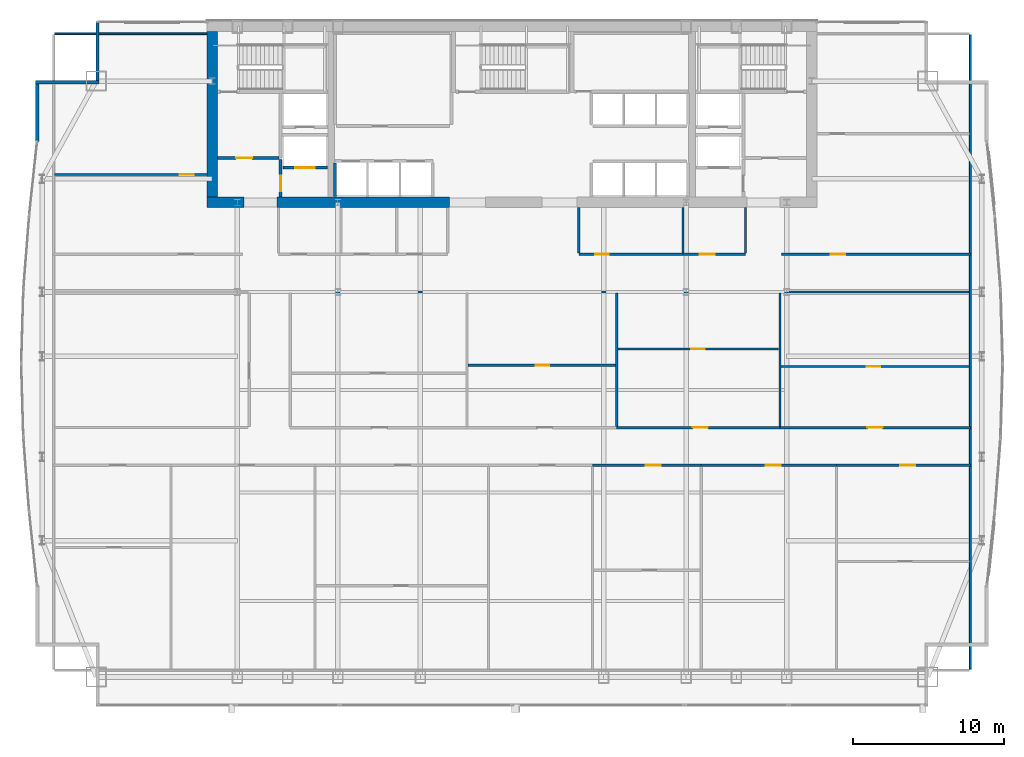
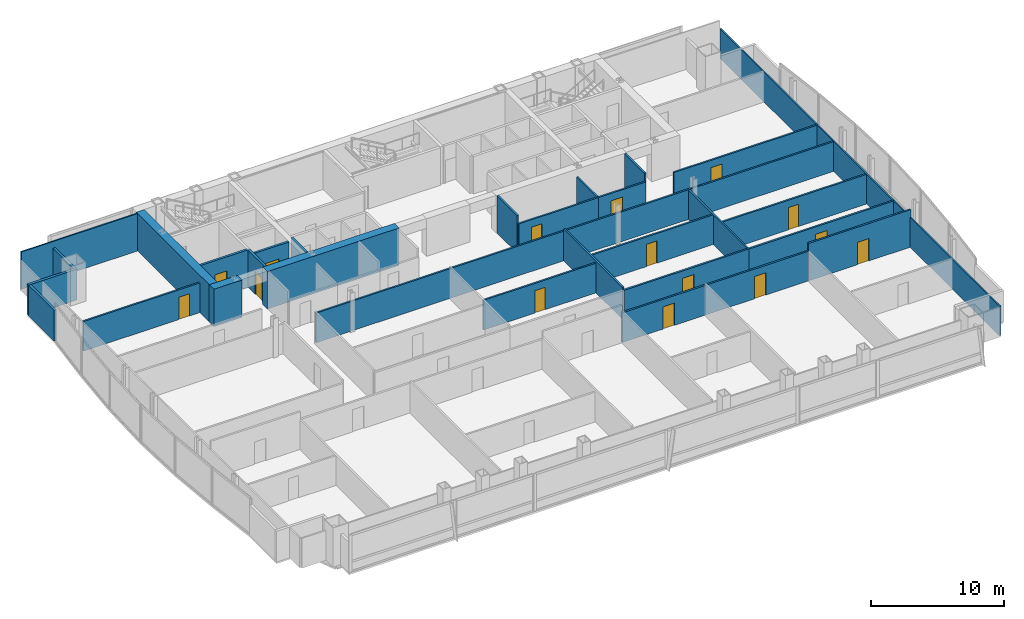
# One storey, part 25 of 29: 30 walls, 15 doors, 15 openings.
"""IFC4 building model written with IfcOpenShell, lengths in metres."""

from ifc_helpers import new_model, si_unit, direction, frame, frame_2d, origin, place, context, subcontext, project, spatial, rectangle, extrude, material, layer, layer_set, type_object, element, fill, save


model = new_model("IFC4")

# Units and contexts
model_context = context("Model", 3, precision=1e-05, world=origin(), true_north=direction((0.0, 1.0)))
body_context = subcontext(model_context, "Body", "Model", "MODEL_VIEW")
ifc_project = project(units=[si_unit("LENGTHUNIT", "METRE"), si_unit("AREAUNIT", "SQUARE_METRE"), si_unit("VOLUMEUNIT", "CUBIC_METRE"), si_unit("PLANEANGLEUNIT", "RADIAN"), si_unit("MASSUNIT", "GRAM", prefix="KILO")], contexts=[model_context])

# Site, building, storey
site_placement = place(None, origin())
site = spatial("IfcSite", under=ifc_project, at=site_placement, CompositionType="ELEMENT")
building_placement = place(site_placement, origin())
building = spatial("IfcBuilding", under=site, at=building_placement, Name="Khoronbel Lancet Exchange", CompositionType="ELEMENT")
storey_placement = place(building_placement, frame((0.0, 0.0, 139.800048828125)))
storey = spatial("IfcBuildingStorey", under=building, at=storey_placement, Name="L34", CompositionType="ELEMENT", Elevation=139.800048828125)

# Walls
ifc_material_1 = material(Name="Concrete C80/95", Category="concrete")
ifc_layer_1 = layer(ifc_material_1, 0.699951171875, Name="Concrete C80/95")
ifc_layer_set_1 = layer_set([ifc_layer_1], Name="Concrete C80/95")
wall_type_1 = type_object("IfcWallType", Name="WL-CW2", PredefinedType="SHEAR", material=ifc_layer_set_1)
wall_1_placement = place(storey_placement, frame((16.550048828125, 42.0, 0.0), z_axis=(0.0, 0.0, 1.0), x_axis=(0.0, 1.0, 0.0)))
element("IfcWall", 1, at=wall_1_placement, inside=storey, type_object=wall_type_1, Name="Level L34 rear core west shear wall", PredefinedType="SHEAR", context=body_context, shape_type="SweptSolid", body=[
    extrude(rectangle(XDim=11.0, YDim=0.699951171875, at=frame_2d((5.5, 0.0))), origin(), (0.0, 0.0, 1.0), 3.43994140625),
])
wall_2_placement = place(storey_placement, frame((18.64990234375, 41.64990234375, 0.0), z_axis=(0.0, 0.0, 1.0), x_axis=(-1.0, 0.0, 0.0)))
element("IfcWall", 2, at=wall_2_placement, inside=storey, type_object=wall_type_1, Name="Level L34 rear core south shear wall pier P1", PredefinedType="SHEAR", context=body_context, shape_type="SweptSolid", body=[
    extrude(rectangle(XDim=2.449951171875, YDim=0.699951171875, at=frame_2d((1.22509765625, 0.0))), origin(), (0.0, 0.0, 1.0), 3.43994140625),
])
wall_3_placement = place(storey_placement, frame((32.300048828125, 41.64990234375, 0.0), z_axis=(0.0, 0.0, 1.0), x_axis=(-1.0, 0.0, 0.0)))
element("IfcWall", 3, at=wall_3_placement, inside=storey, type_object=wall_type_1, Name="Level L34 rear core south shear wall pier P2", PredefinedType="SHEAR", context=body_context, shape_type="SweptSolid", body=[
    extrude(rectangle(XDim=11.449951171875, YDim=0.699951171875, at=frame_2d((5.72509765625, 0.0))), origin(), (0.0, 0.0, 1.0), 3.43994140625),
])
ifc_material_2 = material(Name="Precast concrete C40/50", Category="concrete")
ifc_layer_2 = layer(ifc_material_2, 0.25, Name="Precast concrete C40/50")
ifc_layer_set_2 = layer_set([ifc_layer_2], Name="Precast concrete C40/50")
wall_type_2 = type_object("IfcWallType", Name="WL-EXT250", PredefinedType="SOLIDWALL", material=ifc_layer_set_2)
wall_4_placement = place(storey_placement, frame((4.93994140625, 45.67529296875, 0.0), z_axis=(0.0, 0.0, 1.0), x_axis=(0.0, 1.0, 0.0)))
element("IfcWall", 4, at=wall_4_placement, inside=storey, type_object=wall_type_2, Name="Level L34 notched-corner limestone pier 10", PredefinedType="SOLIDWALL", context=body_context, shape_type="SweptSolid", body=[
    extrude(rectangle(XDim=3.82470703125, YDim=0.219970703125, at=frame_2d((1.912353515625, 0.0))), origin(), (0.0, 0.0, 1.0), 2.829833984375),
])
wall_5_placement = place(storey_placement, frame((4.830078125, 49.610107421875, 0.0), z_axis=(0.0, 0.0, 1.0), x_axis=(1.0, 0.0, 0.0)))
element("IfcWall", 5, at=wall_5_placement, inside=storey, type_object=wall_type_2, Name="Level L34 notched-corner limestone pier 11", PredefinedType="SOLIDWALL", context=body_context, shape_type="SweptSolid", body=[
    extrude(rectangle(XDim=4.219970703125, YDim=0.219970703125, at=frame_2d((2.10986328125, 0.0))), origin(), (0.0, 0.0, 1.0), 2.829833984375),
])
wall_6_placement = place(storey_placement, frame((8.93994140625, 49.719970703125, 0.0), z_axis=(0.0, 0.0, 1.0), x_axis=(0.0, 1.0, 0.0)))
element("IfcWall", 6, at=wall_6_placement, inside=storey, type_object=wall_type_2, Name="Level L34 notched-corner limestone pier 12", PredefinedType="SOLIDWALL", context=body_context, shape_type="SweptSolid", body=[
    extrude(rectangle(XDim=3.909912109375, YDim=0.219970703125, at=frame_2d((1.955078125, 0.0))), origin(), (0.0, 0.0, 1.0), 2.829833984375),
])
ifc_material_3 = material(Name="Acoustic Metal-Stud & Mineral-Wool Gypsum Partition 120 mm", Category="gypsum")
ifc_layer_3 = layer(ifc_material_3, 0.1201171875, Name="Acoustic Metal-Stud & Mineral-Wool Gypsum Partition 120 mm")
ifc_layer_set_3 = layer_set([ifc_layer_3], Name="Acoustic Metal-Stud & Mineral-Wool Gypsum Partition 120 mm")
wall_type_3 = type_object("IfcWallType", Name="WL-PRT120", PredefinedType="PARTITIONING", material=ifc_layer_set_3)
wall_7_placement = place(storey_placement, frame((40.8798828125, 38.280029296875, 0.0), z_axis=(0.0, 0.0, 1.0), x_axis=(0.0, 1.0, 0.0)))
element("IfcWall", 7, at=wall_7_placement, inside=storey, type_object=wall_type_3, Name="Level L34 interior partition PW-NP-0", PredefinedType="PARTITIONING", context=body_context, shape_type="SweptSolid", body=[
    extrude(rectangle(XDim=3.02001953125, YDim=0.14990234375, at=frame_2d((1.510009765625, 0.0))), origin(), (0.0, 0.0, 1.0), 3.43994140625),
])
wall_8_placement = place(storey_placement, frame((47.800048828125, 38.280029296875, 0.0), z_axis=(0.0, 0.0, 1.0), x_axis=(0.0, 1.0, 0.0)))
element("IfcWall", 8, at=wall_8_placement, inside=storey, type_object=wall_type_3, Name="Level L34 interior partition PW-NP-M", PredefinedType="PARTITIONING", context=body_context, shape_type="SweptSolid", body=[
    extrude(rectangle(XDim=3.02001953125, YDim=0.14990234375, at=frame_2d((1.510009765625, 0.0))), origin(), (0.0, 0.0, 1.0), 2.72998046875),
])
wall_9_placement = place(storey_placement, frame((51.949951171875, 38.280029296875, 0.0), z_axis=(0.0, 0.0, 1.0), x_axis=(0.0, 1.0, 0.0)))
element("IfcWall", 9, at=wall_9_placement, inside=storey, type_object=wall_type_3, Name="Level L34 interior partition PW-NP-1", PredefinedType="PARTITIONING", context=body_context, shape_type="SweptSolid", body=[
    extrude(rectangle(XDim=3.02001953125, YDim=0.14990234375, at=frame_2d((1.510009765625, 0.0))), origin(), (0.0, 0.0, 1.0), 3.43994140625),
])

# Wall, opening, door
wall_10_placement = place(storey_placement, frame((6.094970703125, 43.5, 0.0), z_axis=(0.0, 0.0, 1.0), x_axis=(1.0, 0.0, 0.0)))
wall_10 = element("IfcWall", 10, at=wall_10_placement, inside=storey, type_object=wall_type_3, Name="Level L34 interior partition PW-NW-H", PredefinedType="PARTITIONING", context=body_context, shape_type="SweptSolid", body=[
    extrude(rectangle(XDim=10.10498046875, YDim=0.14990234375, at=frame_2d((5.052490234375, 0.0))), origin(), (0.0, 0.0, 1.0), 2.72998046875),
])
opening_1_placement = place(wall_10_placement, frame((8.320068359375, 0.0, 0.0)))
opening_1 = element("IfcOpeningElement", 11, at=opening_1_placement, cuts=wall_10, Name="Opening D5", PredefinedType="OPENING", context=body_context, shape_type="SweptSolid", body=[
    extrude(rectangle(XDim=0.89990234375, YDim=2.050048828125, at=frame_2d((0.449951171875, 1.02490234375))), frame((0.0, 0.0849609375, 0.0), z_axis=(0.0, -1.0, 0.0), x_axis=(1.0, 0.0, 0.0)), (0.0, 0.0, 1.0), 0.169921875),
])
ifc_material_4 = material(Name="Acoustic Timber Pantry & Support Door", Category="wood")
door_type_1 = type_object("IfcDoorType", Name="DR-D5", OperationType="NOTDEFINED", PredefinedType="DOOR", material=ifc_material_4)
door_1_placement = place(opening_1_placement, origin())
door_1 = element("IfcDoor", 12, at=door_1_placement, inside=storey, type_object=door_type_1, Name="NW north room door L34-1", OperationType="SINGLE_SWING_LEFT", OverallHeight=2.050048828125, OverallWidth=0.89990234375, PredefinedType="DOOR", context=body_context, shape_type="SweptSolid", body=[
    extrude(rectangle(XDim=0.89990234375, YDim=2.050048828125, at=frame_2d((0.449951171875, 1.02490234375))), frame((0.0, 0.02490234375, 0.0), z_axis=(0.0, -1.0, 0.0), x_axis=(1.0, 0.0, 0.0)), (0.0, 0.0, 1.0), 0.050048828125),
])
fill(opening_1, door_1)

wall_11_placement = place(storey_placement, frame((33.54638671875, 30.840087890625, 0.0), z_axis=(0.0, 0.0, 1.0), x_axis=(1.0, 0.0, 0.0)))
wall_11 = element("IfcWall", 13, at=wall_11_placement, inside=storey, type_object=wall_type_3, Name="Level L34 interior partition PW-Z2N-H2", PredefinedType="PARTITIONING", context=body_context, shape_type="SweptSolid", body=[
    extrude(rectangle(XDim=9.770751953125, YDim=0.14990234375, at=frame_2d((4.88525390625, 0.0))), origin(), (0.0, 0.0, 1.0), 2.72998046875),
])
opening_2_placement = place(wall_11_placement, frame((4.468994140625, 0.0, 0.0)))
opening_2 = element("IfcOpeningElement", 14, at=opening_2_placement, cuts=wall_11, Name="Opening D5", PredefinedType="OPENING", context=body_context, shape_type="SweptSolid", body=[
    extrude(rectangle(XDim=0.89990234375, YDim=2.050048828125, at=frame_2d((0.449951171875, 1.02490234375))), frame((0.0, 0.0849609375, 0.0), z_axis=(0.0, -1.0, 0.0), x_axis=(1.0, 0.0, 0.0)), (0.0, 0.0, 1.0), 0.169921875),
])
door_2_placement = place(opening_2_placement, origin())
door_2 = element("IfcDoor", 15, at=door_2_placement, inside=storey, type_object=door_type_1, Name="Z2N inner door 2 L34-1", OperationType="SINGLE_SWING_RIGHT", OverallHeight=2.050048828125, OverallWidth=0.89990234375, PredefinedType="DOOR", context=body_context, shape_type="SweptSolid", body=[
    extrude(rectangle(XDim=0.89990234375, YDim=2.050048828125, at=frame_2d((0.449951171875, 1.02490234375))), frame((0.0, 0.02490234375, 0.0), z_axis=(0.0, -1.0, 0.0), x_axis=(1.0, 0.0, 0.0)), (0.0, 0.0, 1.0), 0.050048828125),
])
fill(opening_2, door_2)

wall_12_placement = place(storey_placement, frame((43.477294921875, 31.919921875, 0.0), z_axis=(0.0, 0.0, 1.0), x_axis=(1.0, 0.0, 0.0)))
wall_12 = element("IfcWall", 16, at=wall_12_placement, inside=storey, type_object=wall_type_3, Name="Level L34 interior partition PW-Z2N-H3", PredefinedType="PARTITIONING", context=body_context, shape_type="SweptSolid", body=[
    extrude(rectangle(XDim=10.673583984375, YDim=0.14990234375, at=frame_2d((5.3369140625, 0.0))), origin(), (0.0, 0.0, 1.0), 2.72998046875),
])
opening_3_placement = place(wall_12_placement, frame((4.875, 0.0, 0.0)))
opening_3 = element("IfcOpeningElement", 17, at=opening_3_placement, cuts=wall_12, Name="Opening D5", PredefinedType="OPENING", context=body_context, shape_type="SweptSolid", body=[
    extrude(rectangle(XDim=0.89990234375, YDim=2.050048828125, at=frame_2d((0.449951171875, 1.02490234375))), frame((0.0, 0.0849609375, 0.0), z_axis=(0.0, -1.0, 0.0), x_axis=(1.0, 0.0, 0.0)), (0.0, 0.0, 1.0), 0.169921875),
])
door_3_placement = place(opening_3_placement, origin())
door_3 = element("IfcDoor", 18, at=door_3_placement, inside=storey, type_object=door_type_1, Name="Z2N inner door 3 L34-1", OperationType="SINGLE_SWING_RIGHT", OverallHeight=2.050048828125, OverallWidth=0.89990234375, PredefinedType="DOOR", context=body_context, shape_type="SweptSolid", body=[
    extrude(rectangle(XDim=0.89990234375, YDim=2.050048828125, at=frame_2d((0.449951171875, 1.02490234375))), frame((0.0, 0.02490234375, 0.0), z_axis=(0.0, -1.0, 0.0), x_axis=(1.0, 0.0, 0.0)), (0.0, 0.0, 1.0), 0.050048828125),
])
fill(opening_3, door_3)

wall_13_placement = place(storey_placement, frame((54.310791015625, 30.75, 0.0), z_axis=(0.0, 0.0, 1.0), x_axis=(1.0, 0.0, 0.0)))
wall_13 = element("IfcWall", 19, at=wall_13_placement, inside=storey, type_object=wall_type_3, Name="Level L34 interior partition PW-Z2N-H4", PredefinedType="PARTITIONING", context=body_context, shape_type="SweptSolid", body=[
    extrude(rectangle(XDim=12.494140625, YDim=0.14990234375, at=frame_2d((6.2470703125, 0.0))), origin(), (0.0, 0.0, 1.0), 2.72998046875),
])
opening_4_placement = place(wall_13_placement, frame((5.6875, 0.0, 0.0)))
opening_4 = element("IfcOpeningElement", 20, at=opening_4_placement, cuts=wall_13, Name="Opening D5", PredefinedType="OPENING", context=body_context, shape_type="SweptSolid", body=[
    extrude(rectangle(XDim=0.89990234375, YDim=2.050048828125, at=frame_2d((0.449951171875, 1.02490234375))), frame((0.0, 0.0849609375, 0.0), z_axis=(0.0, -1.0, 0.0), x_axis=(1.0, 0.0, 0.0)), (0.0, 0.0, 1.0), 0.169921875),
])
door_4_placement = place(opening_4_placement, origin())
door_4 = element("IfcDoor", 21, at=door_4_placement, inside=storey, type_object=door_type_1, Name="Z2N inner door 4 L34-1", OperationType="SINGLE_SWING_RIGHT", OverallHeight=2.050048828125, OverallWidth=0.89990234375, PredefinedType="DOOR", context=body_context, shape_type="SweptSolid", body=[
    extrude(rectangle(XDim=0.89990234375, YDim=2.050048828125, at=frame_2d((0.449951171875, 1.02490234375))), frame((0.0, 0.02490234375, 0.0), z_axis=(0.0, -1.0, 0.0), x_axis=(1.0, 0.0, 0.0)), (0.0, 0.0, 1.0), 0.050048828125),
])
fill(opening_4, door_4)

# Walls
wall_14_placement = place(storey_placement, frame((66.8701171875, 10.6650390625, 0.0), z_axis=(0.0, 0.0, 1.0), x_axis=(0.0, 1.0, 0.0)))
element("IfcWall", 22, at=wall_14_placement, inside=storey, type_object=wall_type_3, Name="Level L34 interior partition PW-LIN-E", PredefinedType="PARTITIONING", context=body_context, shape_type="SweptSolid", body=[
    extrude(rectangle(XDim=42.10986328125, YDim=0.1201171875, at=frame_2d((21.054931640625, 0.0))), origin(), (0.0, 0.0, 1.0), 2.72998046875),
])
wall_15_placement = place(storey_placement, frame((6.094970703125, 52.840087890625, 0.0), z_axis=(0.0, 0.0, 1.0), x_axis=(1.0, 0.0, 0.0)))
element("IfcWall", 23, at=wall_15_placement, inside=storey, type_object=wall_type_3, Name="Level L34 interior partition PW-LIN-NW", PredefinedType="PARTITIONING", context=body_context, shape_type="SweptSolid", body=[
    extrude(rectangle(XDim=10.10498046875, YDim=0.1201171875, at=frame_2d((5.052490234375, 0.0))), origin(), (0.0, 0.0, 1.0), 3.43994140625),
])

# Wall, opening, door
ifc_material_5 = material(Name="Fire-Rated Twin-Stud Acoustic Gypsum Partition 150 mm", Category="gypsum")
ifc_layer_4 = layer(ifc_material_5, 0.14990234375, Name="Fire-Rated Twin-Stud Acoustic Gypsum Partition 150 mm")
ifc_layer_set_4 = layer_set([ifc_layer_4], Name="Fire-Rated Twin-Stud Acoustic Gypsum Partition 150 mm")
wall_type_4 = type_object("IfcWallType", Name="WL-PRT150C", PredefinedType="PARTITIONING", material=ifc_layer_set_4)
wall_16_placement = place(storey_placement, frame((40.8798828125, 38.199951171875, 0.0), z_axis=(0.0, 0.0, 1.0), x_axis=(1.0, 0.0, 0.0)))
wall_16 = element("IfcWall", 24, at=wall_16_placement, inside=storey, type_object=wall_type_4, Name="Level L34 interior partition PW-NP-S1", PredefinedType="PARTITIONING", context=body_context, shape_type="SweptSolid", body=[
    extrude(rectangle(XDim=6.920166015625, YDim=0.14990234375, at=frame_2d((3.4599609375, 0.0))), origin(), (0.0, 0.0, 1.0), 2.72998046875),
])
opening_5_placement = place(wall_16_placement, frame((1.10009765625, 0.0, 0.0)))
opening_5 = element("IfcOpeningElement", 25, at=opening_5_placement, cuts=wall_16, Name="Opening D5", PredefinedType="OPENING", context=body_context, shape_type="SweptSolid", body=[
    extrude(rectangle(XDim=0.89990234375, YDim=2.050048828125, at=frame_2d((0.449951171875, 1.02490234375))), frame((0.0, 0.0849609375, 0.0), z_axis=(0.0, -1.0, 0.0), x_axis=(1.0, 0.0, 0.0)), (0.0, 0.0, 1.0), 0.169921875),
])
door_5_placement = place(opening_5_placement, origin())
door_5 = element("IfcDoor", 26, at=door_5_placement, inside=storey, type_object=door_type_1, Name="Floor refreshment pantry door L34-1", OperationType="SINGLE_SWING_LEFT", OverallHeight=2.050048828125, OverallWidth=0.89990234375, PredefinedType="DOOR", context=body_context, shape_type="SweptSolid", body=[
    extrude(rectangle(XDim=0.89990234375, YDim=2.050048828125, at=frame_2d((0.449951171875, 1.02490234375))), frame((0.0, 0.02490234375, 0.0), z_axis=(0.0, -1.0, 0.0), x_axis=(1.0, 0.0, 0.0)), (0.0, 0.0, 1.0), 0.050048828125),
])
fill(opening_5, door_5)

wall_17_placement = place(storey_placement, frame((47.800048828125, 38.199951171875, 0.0), z_axis=(0.0, 0.0, 1.0), x_axis=(1.0, 0.0, 0.0)))
wall_17 = element("IfcWall", 27, at=wall_17_placement, inside=storey, type_object=wall_type_4, Name="Level L34 interior partition PW-NP-S2", PredefinedType="PARTITIONING", context=body_context, shape_type="SweptSolid", body=[
    extrude(rectangle(XDim=4.14990234375, YDim=0.14990234375, at=frame_2d((2.074951171875, 0.0))), origin(), (0.0, 0.0, 1.0), 2.72998046875),
])
opening_6_placement = place(wall_17_placement, frame((1.10009765625, 0.0, 0.0)))
opening_6 = element("IfcOpeningElement", 28, at=opening_6_placement, cuts=wall_17, Name="Opening D2", PredefinedType="OPENING", context=body_context, shape_type="SweptSolid", body=[
    extrude(rectangle(XDim=1.0, YDim=2.050048828125, at=frame_2d((0.5, 1.02490234375))), frame((0.0, 0.0849609375, 0.0), z_axis=(0.0, -1.0, 0.0), x_axis=(1.0, 0.0, 0.0)), (0.0, 0.0, 1.0), 0.169921875),
])
ifc_material_6 = material(Name="Acoustic Veneered Timber & Bronze Frame Door", Category="wood")
door_type_2 = type_object("IfcDoorType", Name="DR-D2", OperationType="NOTDEFINED", PredefinedType="DOOR", material=ifc_material_6)
door_6_placement = place(opening_6_placement, origin())
door_6 = element("IfcDoor", 29, at=door_6_placement, inside=storey, type_object=door_type_2, Name="Floor store door L34-1", OperationType="SINGLE_SWING_RIGHT", OverallHeight=2.050048828125, OverallWidth=1.0, PredefinedType="DOOR", context=body_context, shape_type="SweptSolid", body=[
    extrude(rectangle(XDim=1.0, YDim=2.050048828125, at=frame_2d((0.5, 1.02490234375))), frame((0.0, 0.02490234375, 0.0), z_axis=(0.0, -1.0, 0.0), x_axis=(1.0, 0.0, 0.0)), (0.0, 0.0, 1.0), 0.050048828125),
])
fill(opening_6, door_6)

wall_18_placement = place(storey_placement, frame((54.35009765625, 38.199951171875, 0.0), z_axis=(0.0, 0.0, 1.0), x_axis=(1.0, 0.0, 0.0)))
wall_18 = element("IfcWall", 30, at=wall_18_placement, inside=storey, type_object=wall_type_4, Name="Level L34 interior partition PW-NE-S", PredefinedType="PARTITIONING", context=body_context, shape_type="SweptSolid", body=[
    extrude(rectangle(XDim=12.52001953125, YDim=0.14990234375, at=frame_2d((6.260009765625, 0.0))), origin(), (0.0, 0.0, 1.0), 2.72998046875),
])
opening_7_placement = place(wall_18_placement, frame((3.25, 0.0, 0.0)))
opening_7 = element("IfcOpeningElement", 31, at=opening_7_placement, cuts=wall_18, Name="Opening D1", PredefinedType="OPENING", context=body_context, shape_type="SweptSolid", body=[
    extrude(rectangle(XDim=0.949951171875, YDim=2.050048828125, at=frame_2d((0.47509765625, 1.02490234375))), frame((0.0, 0.0849609375, 0.0), z_axis=(0.0, -1.0, 0.0), x_axis=(1.0, 0.0, 0.0)), (0.0, 0.0, 1.0), 0.169921875),
])
door_type_3 = type_object("IfcDoorType", Name="DR-D1", OperationType="NOTDEFINED", PredefinedType="DOOR", material=ifc_material_6)
door_7_placement = place(opening_7_placement, origin())
door_7 = element("IfcDoor", 32, at=door_7_placement, inside=storey, type_object=door_type_3, Name="NE corner room door L34-1", OperationType="SINGLE_SWING_RIGHT", OverallHeight=2.050048828125, OverallWidth=0.949951171875, PredefinedType="DOOR", context=body_context, shape_type="SweptSolid", body=[
    extrude(rectangle(XDim=0.949951171875, YDim=2.050048828125, at=frame_2d((0.47509765625, 1.02490234375))), frame((0.0, 0.02490234375, 0.0), z_axis=(0.0, -1.0, 0.0), x_axis=(1.0, 0.0, 0.0)), (0.0, 0.0, 1.0), 0.050048828125),
])
fill(opening_7, door_7)

# Walls
wall_19_placement = place(storey_placement, frame((21.81005859375, 35.699951171875, 0.0), z_axis=(0.0, 0.0, 1.0), x_axis=(1.0, 0.0, 0.0)))
element("IfcWall", 33, at=wall_19_placement, inside=storey, type_object=wall_type_4, Name="Level L34 interior partition PW-Z2-EN", PredefinedType="PARTITIONING", context=body_context, shape_type="SweptSolid", body=[
    extrude(rectangle(XDim=44.994873046875, YDim=0.14990234375, at=frame_2d((22.49755859375, 0.0))), origin(), (0.0, 0.0, 1.0), 2.72998046875),
])
wall_20_placement = place(storey_placement, frame((43.397216796875, 26.784912109375, 0.0), z_axis=(0.0, 0.0, 1.0), x_axis=(0.0, 1.0, 0.0)))
element("IfcWall", 34, at=wall_20_placement, inside=storey, type_object=wall_type_4, Name="Level L34 interior partition PW-Z2N-V2", PredefinedType="PARTITIONING", context=body_context, shape_type="SweptSolid", body=[
    extrude(rectangle(XDim=8.835205078125, YDim=0.14990234375, at=frame_2d((4.41748046875, 0.0))), origin(), (0.0, 0.0, 1.0), 2.929931640625),
])
wall_21_placement = place(storey_placement, frame((54.230712890625, 26.784912109375, 0.0), z_axis=(0.0, 0.0, 1.0), x_axis=(0.0, 1.0, 0.0)))
element("IfcWall", 35, at=wall_21_placement, inside=storey, type_object=wall_type_4, Name="Level L34 interior partition PW-Z2N-V3", PredefinedType="PARTITIONING", context=body_context, shape_type="SweptSolid", body=[
    extrude(rectangle(XDim=8.835205078125, YDim=0.14990234375, at=frame_2d((4.41748046875, 0.0))), origin(), (0.0, 0.0, 1.0), 2.72998046875),
])

# Wall, opening, door
ifc_material_7 = material(Name="Fire-Rated Twin-Stud Acoustic Gypsum Partition 160 mm", Category="gypsum")
ifc_layer_5 = layer(ifc_material_7, 0.159912109375, Name="Fire-Rated Twin-Stud Acoustic Gypsum Partition 160 mm")
ifc_layer_set_5 = layer_set([ifc_layer_5], Name="Fire-Rated Twin-Stud Acoustic Gypsum Partition 160 mm")
wall_type_5 = type_object("IfcWallType", Name="WL-PRT160C", PredefinedType="PARTITIONING", material=ifc_layer_set_5)
wall_22_placement = place(storey_placement, frame((41.78857421875, 24.199951171875, 0.0), z_axis=(0.0, 0.0, 1.0), x_axis=(1.0, 0.0, 0.0)))
wall_22 = element("IfcWall", 36, at=wall_22_placement, inside=storey, type_object=wall_type_5, Name="Level L34 interior partition PW-Z2S-COR5", PredefinedType="PARTITIONING", context=body_context, shape_type="SweptSolid", body=[
    extrude(rectangle(XDim=7.214111328125, YDim=0.159912109375, at=frame_2d((3.60693359375, 0.0))), origin(), (0.0, 0.0, 1.0), 2.72998046875),
])
opening_8_placement = place(wall_22_placement, frame((3.52978515625, 0.0, 0.0)))
opening_8 = element("IfcOpeningElement", 37, at=opening_8_placement, cuts=wall_22, Name="Opening D2", PredefinedType="OPENING", context=body_context, shape_type="SweptSolid", body=[
    extrude(rectangle(XDim=1.0, YDim=2.050048828125, at=frame_2d((0.5, 1.02490234375))), frame((0.0, 0.08984375, 0.0), z_axis=(0.0, -1.0, 0.0), x_axis=(1.0, 0.0, 0.0)), (0.0, 0.0, 1.0), 0.179931640625),
])
door_8_placement = place(opening_8_placement, origin())
door_8 = element("IfcDoor", 38, at=door_8_placement, inside=storey, type_object=door_type_2, Name="Z2S bay 5 door L34-1", OperationType="SINGLE_SWING_LEFT", OverallHeight=2.050048828125, OverallWidth=1.0, PredefinedType="DOOR", context=body_context, shape_type="SweptSolid", body=[
    extrude(rectangle(XDim=1.0, YDim=2.050048828125, at=frame_2d((0.5, 1.02490234375))), frame((0.0, 0.02490234375, 0.0), z_axis=(0.0, -1.0, 0.0), x_axis=(1.0, 0.0, 0.0)), (0.0, 0.0, 1.0), 0.050048828125),
])
fill(opening_8, door_8)

wall_23_placement = place(storey_placement, frame((49.002685546875, 24.199951171875, 0.0), z_axis=(0.0, 0.0, 1.0), x_axis=(1.0, 0.0, 0.0)))
wall_23 = element("IfcWall", 39, at=wall_23_placement, inside=storey, type_object=wall_type_5, Name="Level L34 interior partition PW-Z2S-COR6", PredefinedType="PARTITIONING", context=body_context, shape_type="SweptSolid", body=[
    extrude(rectangle(XDim=8.987548828125, YDim=0.159912109375, at=frame_2d((4.49365234375, 0.0))), origin(), (0.0, 0.0, 1.0), 2.72998046875),
])
opening_9_placement = place(wall_23_placement, frame((4.27490234375, 0.0, 0.0)))
opening_9 = element("IfcOpeningElement", 40, at=opening_9_placement, cuts=wall_23, Name="Opening D2", PredefinedType="OPENING", context=body_context, shape_type="SweptSolid", body=[
    extrude(rectangle(XDim=1.0, YDim=2.050048828125, at=frame_2d((0.5, 1.02490234375))), frame((0.0, 0.08984375, 0.0), z_axis=(0.0, -1.0, 0.0), x_axis=(1.0, 0.0, 0.0)), (0.0, 0.0, 1.0), 0.179931640625),
])
door_9_placement = place(opening_9_placement, origin())
door_9 = element("IfcDoor", 41, at=door_9_placement, inside=storey, type_object=door_type_2, Name="Z2S bay 6 door L34-1", OperationType="SINGLE_SWING_LEFT", OverallHeight=2.050048828125, OverallWidth=1.0, PredefinedType="DOOR", context=body_context, shape_type="SweptSolid", body=[
    extrude(rectangle(XDim=1.0, YDim=2.050048828125, at=frame_2d((0.5, 1.02490234375))), frame((0.0, 0.02490234375, 0.0), z_axis=(0.0, -1.0, 0.0), x_axis=(1.0, 0.0, 0.0)), (0.0, 0.0, 1.0), 0.050048828125),
])
fill(opening_9, door_9)

wall_24_placement = place(storey_placement, frame((57.990234375, 24.199951171875, 0.0), z_axis=(0.0, 0.0, 1.0), x_axis=(1.0, 0.0, 0.0)))
wall_24 = element("IfcWall", 42, at=wall_24_placement, inside=storey, type_object=wall_type_5, Name="Level L34 interior partition PW-Z2S-COR7", PredefinedType="PARTITIONING", context=body_context, shape_type="SweptSolid", body=[
    extrude(rectangle(XDim=8.8798828125, YDim=0.159912109375, at=frame_2d((4.43994140625, 0.0))), origin(), (0.0, 0.0, 1.0), 3.43994140625),
])
opening_10_placement = place(wall_24_placement, frame((4.2294921875, 0.0, 0.0)))
opening_10 = element("IfcOpeningElement", 43, at=opening_10_placement, cuts=wall_24, Name="Opening D2", PredefinedType="OPENING", context=body_context, shape_type="SweptSolid", body=[
    extrude(rectangle(XDim=1.0, YDim=2.050048828125, at=frame_2d((0.5, 1.02490234375))), frame((0.0, 0.08984375, 0.0), z_axis=(0.0, -1.0, 0.0), x_axis=(1.0, 0.0, 0.0)), (0.0, 0.0, 1.0), 0.179931640625),
])
door_10_placement = place(opening_10_placement, origin())
door_10 = element("IfcDoor", 44, at=door_10_placement, inside=storey, type_object=door_type_2, Name="Z2S bay 7 door L34-1", OperationType="SINGLE_SWING_RIGHT", OverallHeight=2.050048828125, OverallWidth=1.0, PredefinedType="DOOR", context=body_context, shape_type="SweptSolid", body=[
    extrude(rectangle(XDim=1.0, YDim=2.050048828125, at=frame_2d((0.5, 1.02490234375))), frame((0.0, 0.02490234375, 0.0), z_axis=(0.0, -1.0, 0.0), x_axis=(1.0, 0.0, 0.0)), (0.0, 0.0, 1.0), 0.050048828125),
])
fill(opening_10, door_10)

wall_25_placement = place(storey_placement, frame((43.397216796875, 26.699951171875, 0.0), z_axis=(0.0, 0.0, 1.0), x_axis=(1.0, 0.0, 0.0)))
wall_25 = element("IfcWall", 45, at=wall_25_placement, inside=storey, type_object=wall_type_5, Name="Level L34 interior partition PW-Z2N-COR3", PredefinedType="PARTITIONING", context=body_context, shape_type="SweptSolid", body=[
    extrude(rectangle(XDim=10.83349609375, YDim=0.159912109375, at=frame_2d((5.416748046875, 0.0))), origin(), (0.0, 0.0, 1.0), 2.72998046875),
])
opening_11_placement = place(wall_25_placement, frame((5.050048828125, 0.0, 0.0)))
opening_11 = element("IfcOpeningElement", 46, at=opening_11_placement, cuts=wall_25, Name="Opening D2", PredefinedType="OPENING", context=body_context, shape_type="SweptSolid", body=[
    extrude(rectangle(XDim=1.0, YDim=2.050048828125, at=frame_2d((0.5, 1.02490234375))), frame((0.0, 0.08984375, 0.0), z_axis=(0.0, -1.0, 0.0), x_axis=(1.0, 0.0, 0.0)), (0.0, 0.0, 1.0), 0.179931640625),
])
door_11_placement = place(opening_11_placement, origin())
door_11 = element("IfcDoor", 47, at=door_11_placement, inside=storey, type_object=door_type_2, Name="Z2N bay 3 door L34-1", OperationType="SINGLE_SWING_LEFT", OverallHeight=2.050048828125, OverallWidth=1.0, PredefinedType="DOOR", context=body_context, shape_type="SweptSolid", body=[
    extrude(rectangle(XDim=1.0, YDim=2.050048828125, at=frame_2d((0.5, 1.02490234375))), frame((0.0, 0.02490234375, 0.0), z_axis=(0.0, -1.0, 0.0), x_axis=(1.0, 0.0, 0.0)), (0.0, 0.0, 1.0), 0.050048828125),
])
fill(opening_11, door_11)

wall_26_placement = place(storey_placement, frame((54.230712890625, 26.699951171875, 0.0), z_axis=(0.0, 0.0, 1.0), x_axis=(1.0, 0.0, 0.0)))
wall_26 = element("IfcWall", 48, at=wall_26_placement, inside=storey, type_object=wall_type_5, Name="Level L34 interior partition PW-Z2N-COR4", PredefinedType="PARTITIONING", context=body_context, shape_type="SweptSolid", body=[
    extrude(rectangle(XDim=12.639404296875, YDim=0.159912109375, at=frame_2d((6.31982421875, 0.0))), origin(), (0.0, 0.0, 1.0), 2.72998046875),
])
opening_12_placement = place(wall_26_placement, frame((5.80859375, 0.0, 0.0)))
opening_12 = element("IfcOpeningElement", 49, at=opening_12_placement, cuts=wall_26, Name="Opening D2", PredefinedType="OPENING", context=body_context, shape_type="SweptSolid", body=[
    extrude(rectangle(XDim=1.0, YDim=2.050048828125, at=frame_2d((0.5, 1.02490234375))), frame((0.0, 0.08984375, 0.0), z_axis=(0.0, -1.0, 0.0), x_axis=(1.0, 0.0, 0.0)), (0.0, 0.0, 1.0), 0.179931640625),
])
door_12_placement = place(opening_12_placement, origin())
door_12 = element("IfcDoor", 50, at=door_12_placement, inside=storey, type_object=door_type_2, Name="Z2N bay 4 door L34-1", OperationType="SINGLE_SWING_LEFT", OverallHeight=2.050048828125, OverallWidth=1.0, PredefinedType="DOOR", context=body_context, shape_type="SweptSolid", body=[
    extrude(rectangle(XDim=1.0, YDim=2.050048828125, at=frame_2d((0.5, 1.02490234375))), frame((0.0, 0.02490234375, 0.0), z_axis=(0.0, -1.0, 0.0), x_axis=(1.0, 0.0, 0.0)), (0.0, 0.0, 1.0), 0.050048828125),
])
fill(opening_12, door_12)

ifc_material_8 = material(Name="Autoclaved Aerated Concrete Blockwork 200 mm", Category="masonry")
ifc_layer_6 = layer(ifc_material_8, 0.199951171875, Name="Autoclaved Aerated Concrete Blockwork 200 mm")
ifc_layer_set_6 = layer_set([ifc_layer_6], Name="Autoclaved Aerated Concrete Blockwork 200 mm")
wall_type_6 = type_object("IfcWallType", Name="WL-PRT200", PredefinedType="PARTITIONING", material=ifc_layer_set_6)
wall_27_placement = place(storey_placement, frame((24.2099609375, 43.949951171875, 0.0), z_axis=(0.0, 0.0, 1.0), x_axis=(-1.0, 0.0, 0.0)))
wall_27 = element("IfcWall", 51, at=wall_27_placement, inside=storey, type_object=wall_type_6, Name="Level L34 elevator hoistway landing front wall SVLW", PredefinedType="PARTITIONING", context=body_context, shape_type="SweptSolid", body=[
    extrude(rectangle(XDim=2.969970703125, YDim=0.199951171875, at=frame_2d((1.48486328125, 0.0))), origin(), (0.0, 0.0, 1.0), 3.43994140625),
])
opening_13_placement = place(wall_27_placement, frame((0.860107421875, 0.0, 0.0)))
opening_13 = element("IfcOpeningElement", 52, at=opening_13_placement, cuts=wall_27, Name="Opening LD-SVL1", PredefinedType="OPENING", context=body_context, shape_type="SweptSolid", body=[
    extrude(rectangle(XDim=1.300048828125, YDim=2.179931640625, at=frame_2d((0.64990234375, 1.08984375))), frame((0.0, 0.10986328125, 0.0), z_axis=(0.0, -1.0, 0.0), x_axis=(1.0, 0.0, 0.0)), (0.0, 0.0, 1.0), 0.219970703125),
])
ifc_material_9 = material(Name="Heavy-Duty Bi-Parting Goods Lift Landing Door", Category="steel")
door_type_4 = type_object("IfcDoorType", Name="DR-LD-SVL", OperationType="NOTDEFINED", PredefinedType="DOOR", material=ifc_material_9)
door_13_placement = place(opening_13_placement, origin())
door_13 = element("IfcDoor", 53, at=door_13_placement, inside=storey, type_object=door_type_4, Name="Elevator landing sliding door LD-SVL1 L34", OperationType="SLIDING_TO_LEFT", OverallHeight=2.179931640625, OverallWidth=1.300048828125, PredefinedType="DOOR", context=body_context, shape_type="SweptSolid", body=[
    extrude(rectangle(XDim=1.300048828125, YDim=2.179931640625, at=frame_2d((0.64990234375, 1.08984375))), frame((0.0, 0.02490234375, 0.0), z_axis=(0.0, -1.0, 0.0), x_axis=(1.0, 0.0, 0.0)), (0.0, 0.0, 1.0), 0.050048828125),
])
fill(opening_13, door_13)

wall_28_placement = place(storey_placement, frame((16.89990234375, 44.60009765625, 0.0), z_axis=(0.0, 0.0, 1.0), x_axis=(1.0, 0.0, 0.0)))
wall_28 = element("IfcWall", 54, at=wall_28_placement, inside=storey, type_object=wall_type_6, Name="Level L34 interior partition CW-FFLW-S", PredefinedType="PARTITIONING", context=body_context, shape_type="SweptSolid", body=[
    extrude(rectangle(XDim=4.10009765625, YDim=0.199951171875, at=frame_2d((2.050048828125, 0.0))), origin(), (0.0, 0.0, 1.0), 3.43994140625),
])
opening_14_placement = place(wall_28_placement, frame((1.25, 0.0, 0.0)))
opening_14 = element("IfcOpeningElement", 55, at=opening_14_placement, cuts=wall_28, Name="Opening FD1", PredefinedType="OPENING", context=body_context, shape_type="SweptSolid", body=[
    extrude(rectangle(XDim=1.050048828125, YDim=2.14990234375, at=frame_2d((0.52490234375, 1.074951171875))), frame((0.0, 0.10986328125, 0.0), z_axis=(0.0, -1.0, 0.0), x_axis=(1.0, 0.0, 0.0)), (0.0, 0.0, 1.0), 0.219970703125),
])
ifc_material_10 = material(Name="Fire-Rated Painted Steel Door Assembly", Category="steel")
door_type_5 = type_object("IfcDoorType", Name="DR-FD1", OperationType="NOTDEFINED", PredefinedType="DOOR", material=ifc_material_10)
door_14_placement = place(opening_14_placement, origin())
door_14 = element("IfcDoor", 56, at=door_14_placement, inside=storey, type_object=door_type_5, Name="West firefighting lobby FD90S door L34-1", OperationType="SINGLE_SWING_RIGHT", OverallHeight=2.14990234375, OverallWidth=1.050048828125, PredefinedType="DOOR", context=body_context, shape_type="SweptSolid", body=[
    extrude(rectangle(XDim=1.050048828125, YDim=2.14990234375, at=frame_2d((0.52490234375, 1.074951171875))), frame((0.0, 0.02490234375, 0.0), z_axis=(0.0, -1.0, 0.0), x_axis=(1.0, 0.0, 0.0)), (0.0, 0.0, 1.0), 0.050048828125),
])
fill(opening_14, door_14)

wall_29_placement = place(storey_placement, frame((21.10009765625, 42.0, 0.0), z_axis=(0.0, 0.0, 1.0), x_axis=(0.0, 1.0, 0.0)))
wall_29 = element("IfcWall", 57, at=wall_29_placement, inside=storey, type_object=wall_type_6, Name="Level L34 interior partition CW-SVLW-W", PredefinedType="PARTITIONING", context=body_context, shape_type="SweptSolid", body=[
    extrude(rectangle(XDim=2.4951171875, YDim=0.199951171875, at=frame_2d((1.24755859375, 0.0))), origin(), (0.0, 0.0, 1.0), 3.43994140625),
])
opening_15_placement = place(wall_29_placement, frame((0.3798828125, 0.0, 0.0)))
opening_15 = element("IfcOpeningElement", 58, at=opening_15_placement, cuts=wall_29, Name="Opening FD1", PredefinedType="OPENING", context=body_context, shape_type="SweptSolid", body=[
    extrude(rectangle(XDim=1.050048828125, YDim=2.14990234375, at=frame_2d((0.52490234375, 1.074951171875))), frame((0.0, 0.10986328125, 0.0), z_axis=(0.0, -1.0, 0.0), x_axis=(1.0, 0.0, 0.0)), (0.0, 0.0, 1.0), 0.219970703125),
])
door_15_placement = place(opening_15_placement, origin())
door_15 = element("IfcDoor", 59, at=door_15_placement, inside=storey, type_object=door_type_5, Name="West service lift lobby door L34-1", OperationType="SINGLE_SWING_LEFT", OverallHeight=2.14990234375, OverallWidth=1.050048828125, PredefinedType="DOOR", context=body_context, shape_type="SweptSolid", body=[
    extrude(rectangle(XDim=1.050048828125, YDim=2.14990234375, at=frame_2d((0.52490234375, 1.074951171875))), frame((0.0, 0.02490234375, 0.0), z_axis=(0.0, -1.0, 0.0), x_axis=(1.0, 0.0, 0.0)), (0.0, 0.0, 1.0), 0.050048828125),
])
fill(opening_15, door_15)

# Wall
wall_30_placement = place(storey_placement, frame((24.699951171875, 42.050048828125, 0.0), z_axis=(0.0, 0.0, 1.0), x_axis=(0.0, 1.0, 0.0)))
element("IfcWall", 60, at=wall_30_placement, inside=storey, type_object=wall_type_6, Name="Level L34 interior partition CW-PM-W", PredefinedType="PARTITIONING", context=body_context, shape_type="SweptSolid", body=[
    extrude(rectangle(XDim=2.199951171875, YDim=0.199951171875, at=frame_2d((1.10009765625, 0.0))), origin(), (0.0, 0.0, 1.0), 3.43994140625),
])

save(model, "model.ifc")
